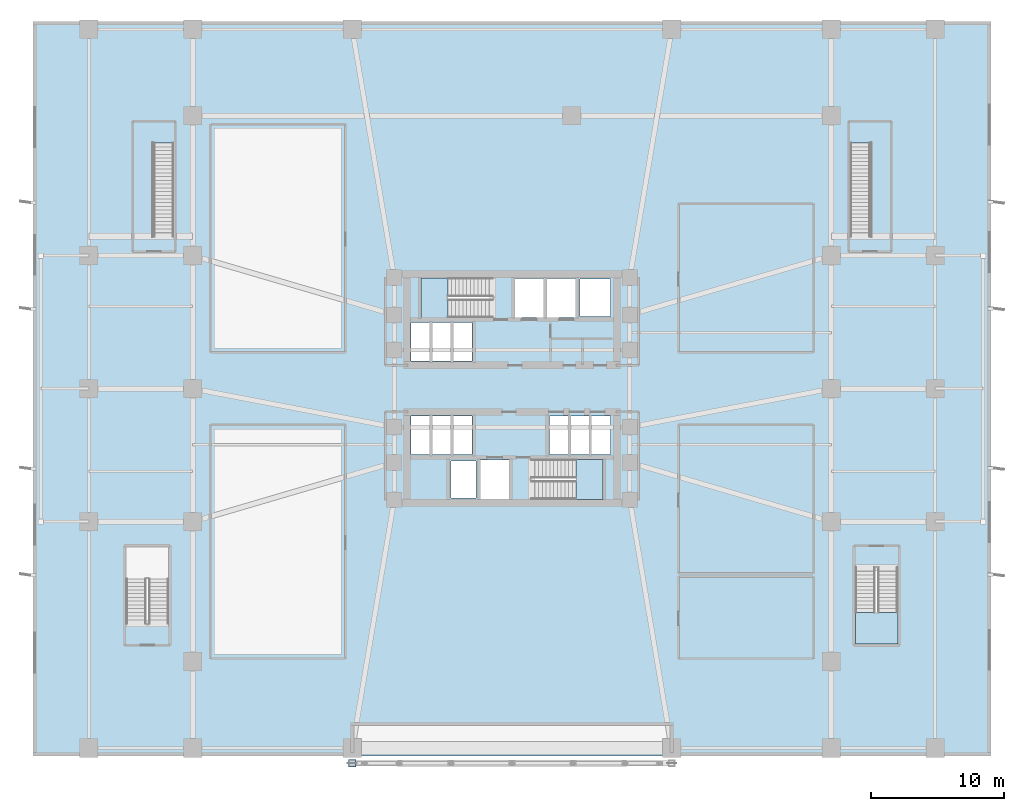
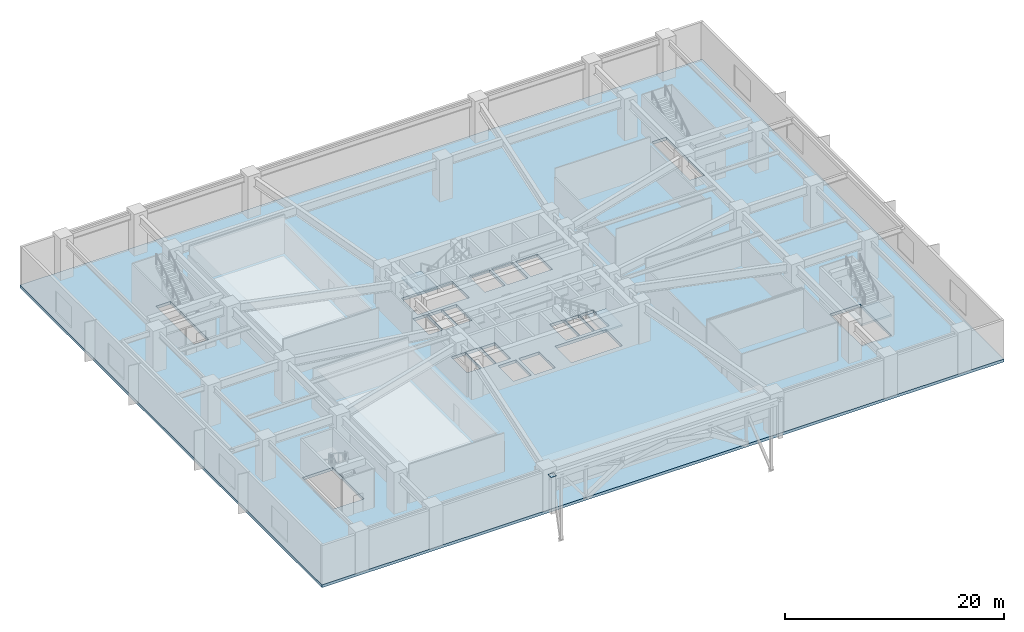
# One storey, part 8 of 21: 4 slabs, 1 plate, 3 elements without a shape of their own.
"""IFC4 building model written with IfcOpenShell, lengths in metres."""

from ifc_helpers import new_model, si_unit, direction, frame, origin, origin_2d, place, context, subcontext, project, spatial, polyline, rectangle, outline, extrude, material, layer, layer_set, type_object, element, aggregate, save


model = new_model("IFC4")

# Units and contexts
model_context = context("Model", 3, precision=1e-05, world=origin(), true_north=direction((0.0, 1.0)))
body_context = subcontext(model_context, "Body", "Model", "MODEL_VIEW")
ifc_project = project(units=[si_unit("LENGTHUNIT", "METRE"), si_unit("AREAUNIT", "SQUARE_METRE"), si_unit("VOLUMEUNIT", "CUBIC_METRE"), si_unit("PLANEANGLEUNIT", "RADIAN"), si_unit("MASSUNIT", "GRAM", prefix="KILO")], contexts=[model_context])

# Site, building, storey
site_placement = place(None, origin())
site = spatial("IfcSite", under=ifc_project, at=site_placement, CompositionType="ELEMENT")
building_placement = place(site_placement, origin())
building = spatial("IfcBuilding", under=site, at=building_placement, Name="Solmarez Civic Tower", CompositionType="ELEMENT")
storey_placement = place(building_placement, frame((0.0, 0.0, 10.080078125)))
storey = spatial("IfcBuildingStorey", under=building, at=storey_placement, Name="L02", CompositionType="ELEMENT", Elevation=10.080078125)

# Plate
ifc_material_1 = material(Name="Steel S355", Category="steel")
ifc_layer_1 = layer(ifc_material_1, 0.028076171875)
ifc_layer_set_1 = layer_set([ifc_layer_1], Name="Steel S355")
plate_type = type_object("IfcPlateType", Name="PLT-CAP-540", PredefinedType="USERDEFINED", material=ifc_layer_set_1)
plate_placement = place(storey_placement, frame((-12.0, -28.14990234375, 4.15576171875), z_axis=(0.0, 0.0, 1.0), x_axis=(1.0, 0.0, 0.0)))
element("IfcPlate", 1, at=plate_placement, inside=storey, type_object=plate_type, Name="Steel Member End Cap Plate CAP-ARCH-TOP-W", ObjectType="CAP_PLATE", PredefinedType="USERDEFINED", context=body_context, shape_type="SweptSolid", body=[
    extrude(rectangle(XDim=0.56005859375, YDim=0.56005859375, at=origin_2d()), origin(), (0.0, 0.0, 1.0), 0.028076171875),
])

# Stair, slab
ifc_material_2 = material(Name="Concrete C50/60", Category="concrete")
stair_type_1 = type_object("IfcStairType", Name="STAIR-DOGLEG-140W-26R-1800", PredefinedType="HALF_TURN_STAIR", material=ifc_material_2)
stair_1_placement = place(storey_placement, origin())
stair_1 = element("IfcStair", 2, at=stair_1_placement, inside=storey, type_object=stair_type_1, Name="L02 North Core Protected Exit Stair ST-1", PredefinedType="HALF_TURN_STAIR")
ifc_layer_2 = layer(ifc_material_2, 0.199951171875)
ifc_layer_set_2 = layer_set([ifc_layer_2], Name="Concrete C50/60")
slab_type_1 = type_object("IfcSlabType", Name="SLAB-LANDING-200", PredefinedType="LANDING", material=ifc_layer_set_2)
slab_1_placement = place(storey_placement, frame((0.0, 0.0, 2.139892578125)))
slab_1 = element("IfcSlab", 3, at=slab_1_placement, type_object=slab_type_1, Name="ST-1 landing 1", PredefinedType="LANDING", context=body_context, shape_type="SweptSolid", body=[
    extrude(outline(polyline([(-4.81005859375, 8.320068359375), (-6.85009765625, 8.320068359375), (-6.85009765625, 5.320068359375), (-4.81005859375, 5.320068359375), (-4.81005859375, 8.320068359375)])), origin(), (0.0, 0.0, 1.0), 0.199951171875),
])
aggregate(stair_1, [slab_1])

stair_2_placement = place(storey_placement, origin())
stair_2 = element("IfcStair", 4, at=stair_2_placement, inside=storey, type_object=stair_type_1, Name="L02 South Core Protected Exit Stair ST-2", PredefinedType="HALF_TURN_STAIR")
slab_2_placement = place(storey_placement, frame((0.0, 0.0, 2.139892578125)))
slab_2 = element("IfcSlab", 5, at=slab_2_placement, type_object=slab_type_1, Name="ST-2 landing 1", PredefinedType="LANDING", context=body_context, shape_type="SweptSolid", body=[
    extrude(outline(polyline([(4.81005859375, -8.320068359375), (6.85009765625, -8.320068359375), (6.85009765625, -5.320068359375), (4.81005859375, -5.320068359375), (4.81005859375, -8.320068359375)])), origin(), (0.0, 0.0, 1.0), 0.199951171875),
])
aggregate(stair_2, [slab_2])

stair_type_2 = type_object("IfcStairType", Name="STAIR-DOGLEG-150W-26R-1800", PredefinedType="HALF_TURN_STAIR", material=ifc_material_2)
stair_3_placement = place(storey_placement, origin())
stair_3 = element("IfcStair", 6, at=stair_3_placement, inside=storey, type_object=stair_type_2, Name="L02 East Podium Exit Stair ST-P2", PredefinedType="HALF_TURN_STAIR")
slab_3_placement = place(storey_placement, frame((0.0, 0.0, 2.139892578125)))
slab_3 = element("IfcSlab", 7, at=slab_3_placement, type_object=slab_type_1, Name="ST-P2 landing 1", PredefinedType="LANDING", context=body_context, shape_type="SweptSolid", body=[
    extrude(outline(polyline([(25.800048828125, -16.81005859375), (25.800048828125, -19.199951171875), (29.0, -19.199951171875), (29.0, -16.81005859375), (25.800048828125, -16.81005859375)])), origin(), (0.0, 0.0, 1.0), 0.199951171875),
])
aggregate(stair_3, [slab_3])

# Slab
ifc_layer_3 = layer(ifc_material_2, 0.320068359375)
ifc_layer_set_3 = layer_set([ifc_layer_3], Name="Concrete C50/60")
slab_type_2 = type_object("IfcSlabType", Name="SLAB-POD-320", PredefinedType="FLOOR", material=ifc_layer_set_3)
slab_4_placement = place(storey_placement, frame((0.0, 0.0, -0.320068359375)))
element("IfcSlab", 8, at=slab_4_placement, inside=storey, type_object=slab_type_2, Name="L02 Structural Slab", PredefinedType="FLOOR", context=body_context, shape_type="SweptSolid", body=[
    extrude(outline(polyline([(36.0, -27.60009765625), (36.0, 27.60009765625), (-36.0, 27.60009765625), (-36.0, -27.60009765625), (36.0, -27.60009765625)]), holes=[polyline([(-1.449951171875, 8.320068359375), (-6.85009765625, 8.320068359375), (-6.85009765625, 5.320068359375), (-1.449951171875, 5.320068359375), (-1.449951171875, 8.320068359375)]), polyline([(1.449951171875, -8.320068359375), (6.85009765625, -8.320068359375), (6.85009765625, -5.320068359375), (1.449951171875, -5.320068359375), (1.449951171875, -8.320068359375)]), polyline([(-25.800048828125, -17.64990234375), (-25.800048828125, -11.89990234375), (-29.0, -11.89990234375), (-29.0, -17.64990234375), (-25.800048828125, -17.64990234375)]), polyline([(25.800048828125, -13.449951171875), (25.800048828125, -19.199951171875), (29.0, -19.199951171875), (29.0, -13.449951171875), (25.800048828125, -13.449951171875)]), polyline([(0.219970703125, 5.360107421875), (2.3798828125, 5.360107421875), (2.3798828125, 8.280029296875), (0.219970703125, 8.280029296875), (0.219970703125, 5.360107421875)]), polyline([(2.6201171875, 5.360107421875), (4.780029296875, 5.360107421875), (4.780029296875, 8.280029296875), (2.6201171875, 8.280029296875), (2.6201171875, 5.360107421875)]), polyline([(-2.3798828125, -8.280029296875), (-0.219970703125, -8.280029296875), (-0.219970703125, -5.360107421875), (-2.3798828125, -5.360107421875), (-2.3798828125, -8.280029296875)]), polyline([(2.800048828125, -4.9599609375), (4.280029296875, -4.9599609375), (4.280029296875, -2.06005859375), (2.800048828125, -2.06005859375), (2.800048828125, -4.9599609375)]), polyline([(4.360107421875, -4.9599609375), (5.840087890625, -4.9599609375), (5.840087890625, -2.06005859375), (4.360107421875, -2.06005859375), (4.360107421875, -4.9599609375)]), polyline([(5.919921875, -4.9599609375), (7.39990234375, -4.9599609375), (7.39990234375, -2.06005859375), (5.919921875, -2.06005859375), (5.919921875, -4.9599609375)]), polyline([(-7.60009765625, -4.9599609375), (-6.1201171875, -4.9599609375), (-6.1201171875, -2.06005859375), (-7.60009765625, -2.06005859375), (-7.60009765625, -4.9599609375)]), polyline([(-6.0400390625, -4.9599609375), (-4.56005859375, -4.9599609375), (-4.56005859375, -2.06005859375), (-6.0400390625, -2.06005859375), (-6.0400390625, -4.9599609375)]), polyline([(-4.47998046875, -4.9599609375), (-3.0, -4.9599609375), (-3.0, -2.06005859375), (-4.47998046875, -2.06005859375), (-4.47998046875, -4.9599609375)]), polyline([(-7.60009765625, 2.06005859375), (-6.1201171875, 2.06005859375), (-6.1201171875, 4.9599609375), (-7.60009765625, 4.9599609375), (-7.60009765625, 2.06005859375)]), polyline([(-6.0400390625, 2.06005859375), (-4.56005859375, 2.06005859375), (-4.56005859375, 4.9599609375), (-6.0400390625, 4.9599609375), (-6.0400390625, 2.06005859375)]), polyline([(-4.47998046875, 2.06005859375), (-3.0, 2.06005859375), (-3.0, 4.9599609375), (-4.47998046875, 4.9599609375), (-4.47998046875, 2.06005859375)]), polyline([(5.10009765625, 5.419921875), (7.39990234375, 5.419921875), (7.39990234375, 8.219970703125), (5.10009765625, 8.219970703125), (5.10009765625, 5.419921875)]), polyline([(-4.60009765625, -8.219970703125), (-2.699951171875, -8.219970703125), (-2.699951171875, -5.419921875), (-4.60009765625, -5.419921875), (-4.60009765625, -8.219970703125)]), polyline([(-26.949951171875, 11.449951171875), (-25.39990234375, 11.449951171875), (-25.39990234375, 18.449951171875), (-26.949951171875, 18.449951171875), (-26.949951171875, 11.449951171875)]), polyline([(25.39990234375, 11.449951171875), (26.949951171875, 11.449951171875), (26.949951171875, 18.449951171875), (25.39990234375, 18.449951171875), (25.39990234375, 11.449951171875)])]), origin(), (0.0, 0.0, 1.0), 0.320068359375),
])

save(model, "model.ifc")
